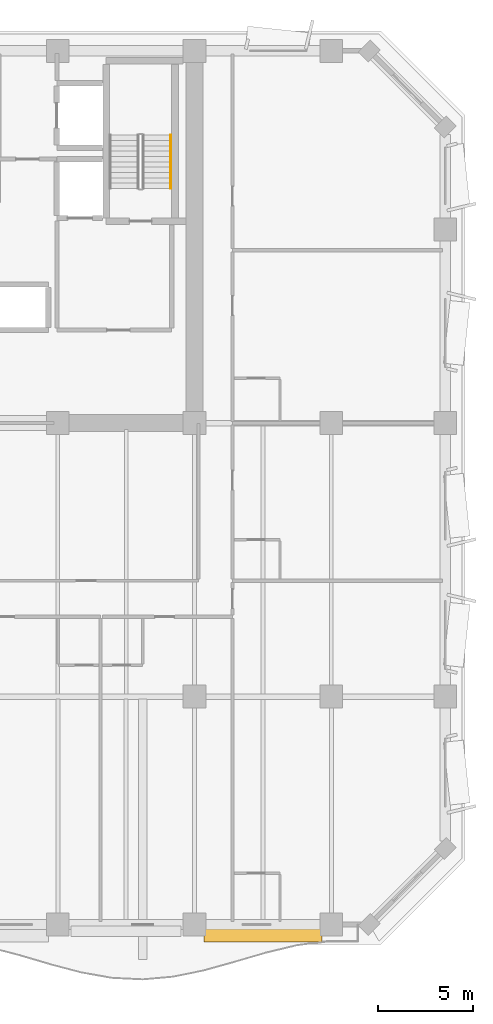
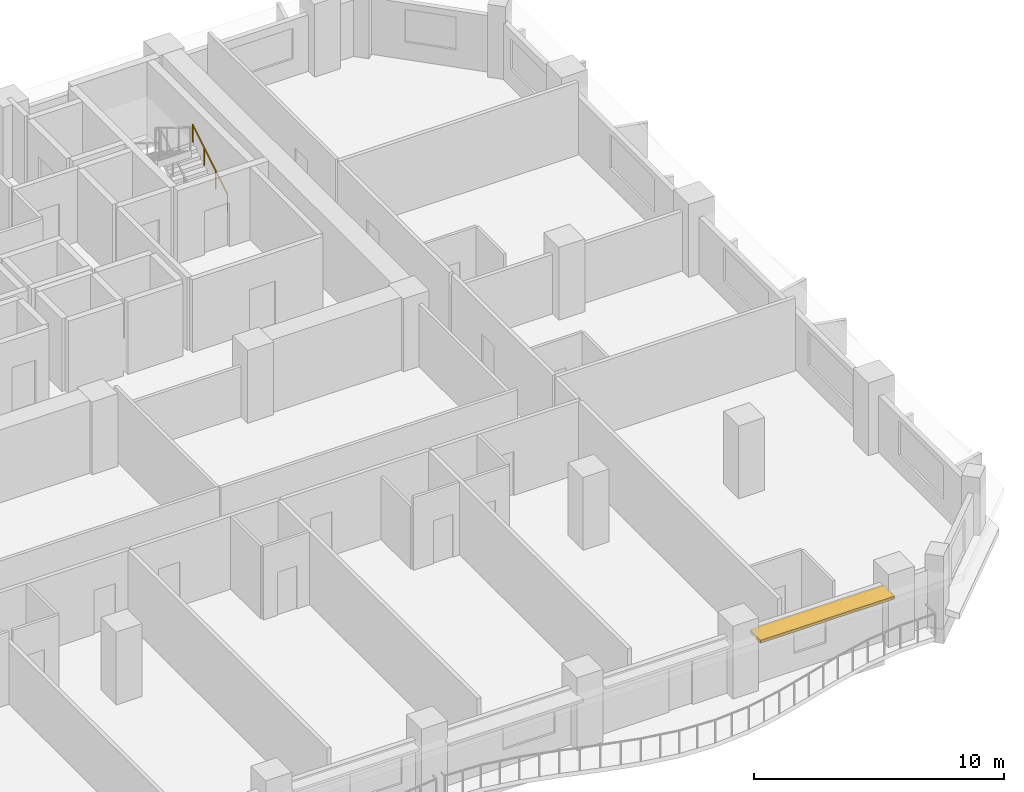
# One storey, part 14 of 14: 1 railing, 1 shading device.
"""IFC4 building model written with IfcOpenShell, lengths in metres."""

from ifc_helpers import new_model, si_unit, direction, frame, origin, origin_2d, place, context, subcontext, project, spatial, rectangle, extrude, material, layer, layer_set, type_object, element, save


model = new_model("IFC4")

# Units and contexts
model_context = context("Model", 3, precision=1e-05, world=origin(), true_north=direction((0.0, 1.0)))
body_context = subcontext(model_context, "Body", "Model", "MODEL_VIEW")
ifc_project = project(units=[si_unit("LENGTHUNIT", "METRE"), si_unit("AREAUNIT", "SQUARE_METRE"), si_unit("VOLUMEUNIT", "CUBIC_METRE"), si_unit("PLANEANGLEUNIT", "RADIAN"), si_unit("MASSUNIT", "GRAM", prefix="KILO")], contexts=[model_context])

# Site, building, storey
site_placement = place(None, origin())
site = spatial("IfcSite", under=ifc_project, at=site_placement, CompositionType="ELEMENT")
building_placement = place(site_placement, origin())
building = spatial("IfcBuilding", under=site, at=building_placement, Name="Kaelvorn Grand Hotel", CompositionType="ELEMENT")
storey_placement = place(building_placement, frame((0.0, 0.0, 169.550048828125)))
storey = spatial("IfcBuildingStorey", under=building, at=storey_placement, Name="L41", CompositionType="ELEMENT", Elevation=169.550048828125)

# Railing
ifc_material_1 = material(Name="Stainless Steel", Category="steel")
railing_type = type_object("IfcRailingType", Name="RL-HANDRAIL-900", PredefinedType="HANDRAIL", material=ifc_material_1)
railing_placement = place(storey_placement, frame((66.550048828125, 41.760009765625, 0.172607421875)))
element("IfcRailing", 1, at=railing_placement, inside=storey, type_object=railing_type, Name="L41 ST3 stair handrail 1", PredefinedType="HANDRAIL", context=body_context, shape_type="SweptSolid", body=[
    extrude(rectangle(XDim=0.048095703125, YDim=0.048095703125, at=origin_2d()), frame((0.0, 0.0, 0.8759765625), z_axis=(0.0, 0.851089632645, 0.525020415988), x_axis=(-1.0, 0.0, 0.0)), (0.0, 0.0, 1.0), 3.2900390625),
    extrude(rectangle(XDim=0.0419921875, YDim=0.0419921875, at=origin_2d()), origin(), (0.0, 0.0, 1.0), 0.851806640625),
    extrude(rectangle(XDim=0.0419921875, YDim=0.0419921875, at=origin_2d()), frame((0.0, 0.933349609375, 0.57568359375)), (0.0, 0.0, 1.0), 0.851806640625),
    extrude(rectangle(XDim=0.0419921875, YDim=0.0419921875, at=origin_2d()), frame((0.0, 1.86669921875, 1.151611328125)), (0.0, 0.0, 1.0), 0.851806640625),
    extrude(rectangle(XDim=0.0419921875, YDim=0.0419921875, at=origin_2d()), frame((0.0, 2.800048828125, 1.727294921875)), (0.0, 0.0, 1.0), 0.851806640625),
])

# Shading device
ifc_material_2 = material(Name="Precast concrete C45/55", Category="concrete")
ifc_layer = layer(ifc_material_2, 0.139892578125)
ifc_layer_set = layer_set([ifc_layer], Name="Precast concrete C45/55")
shading_device_type = type_object("IfcShadingDeviceType", Name="SHD-SUNSHADE-850", PredefinedType="USERDEFINED", material=ifc_layer_set)
shading_device_placement = place(storey_placement, frame((71.39990234375, 2.4951171875, 2.5498046875), z_axis=(0.0, 0.0, 1.0), x_axis=(1.0, 0.0, 0.0)))
element("IfcShadingDevice", 2, at=shading_device_placement, inside=storey, type_object=shading_device_type, Name="L41 Horizontal Concrete Sunshade Band SS-10", ObjectType="SUNSHADE", PredefinedType="USERDEFINED", context=body_context, shape_type="SweptSolid", body=[
    extrude(rectangle(XDim=6.199951171875, YDim=0.85009765625, at=origin_2d()), origin(), (0.0, 0.0, 1.0), 0.139892578125),
])

save(model, "model.ifc")
